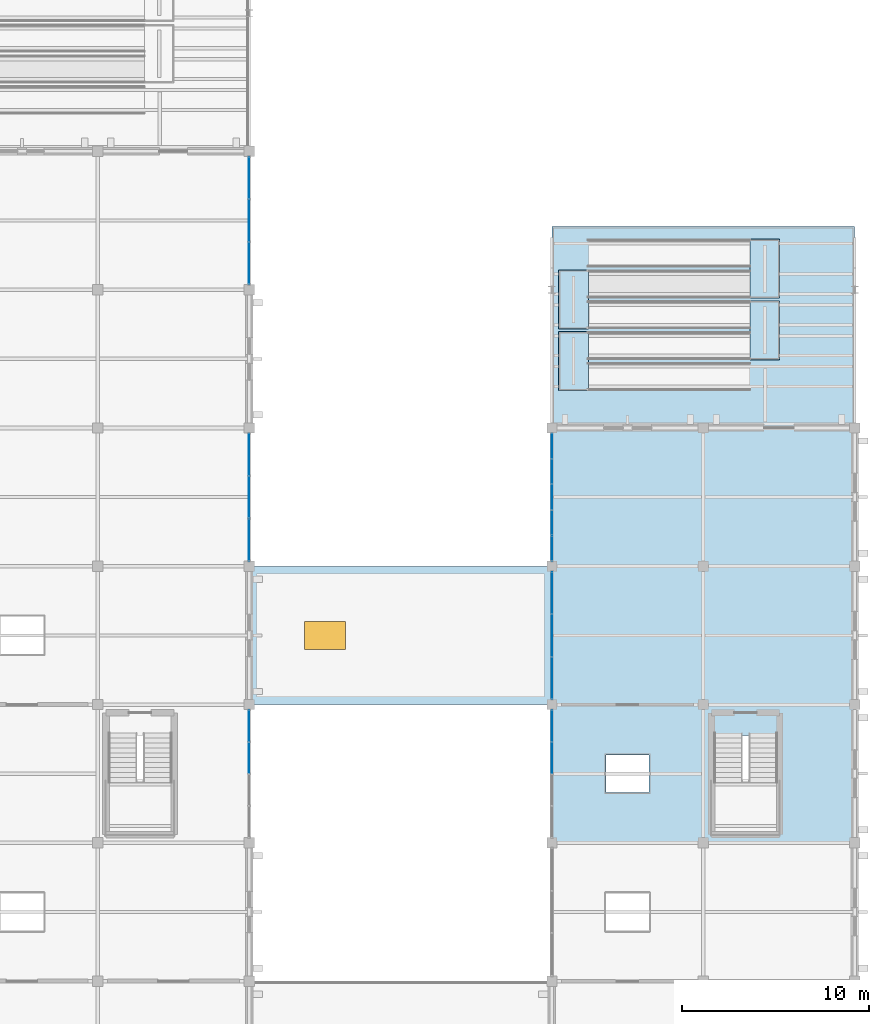
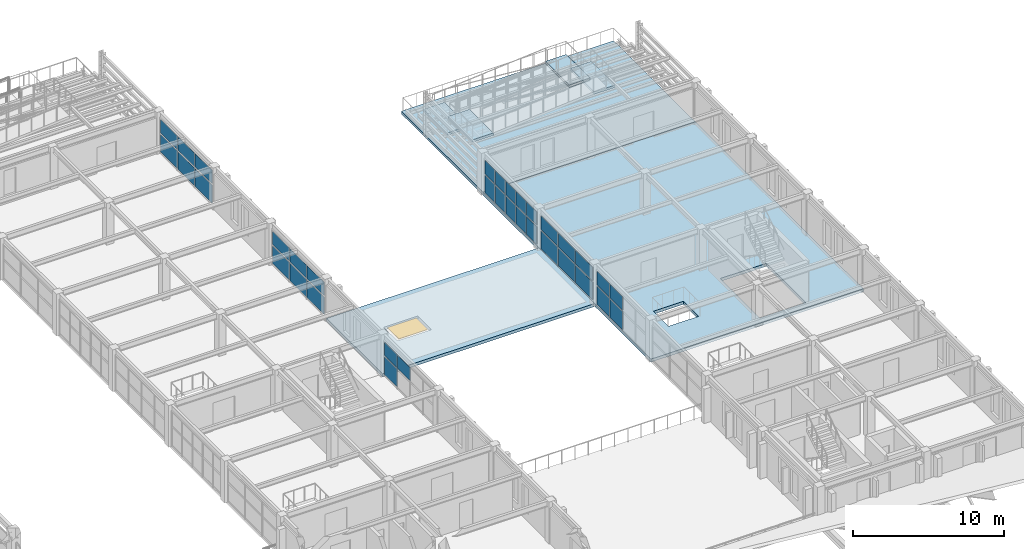
# One storey, part 99 of 121: 35 plates, 7 slabs, 1 window, 1 opening, 6 elements without a shape of their own.
"""IFC4 building model written with IfcOpenShell, lengths in metres."""

from ifc_helpers import new_model, si_unit, direction, frame, origin, origin_2d, place, context, subcontext, project, spatial, polyline, rectangle, outline, extrude, material, layer, layer_set, type_object, element, fill, aggregate, save


model = new_model("IFC4")

# Units and contexts
model_context = context("Model", 3, precision=1e-05, world=origin(), true_north=direction((0.0, 1.0)))
body_context = subcontext(model_context, "Body", "Model", "MODEL_VIEW")
ifc_project = project(units=[si_unit("LENGTHUNIT", "METRE"), si_unit("AREAUNIT", "SQUARE_METRE"), si_unit("VOLUMEUNIT", "CUBIC_METRE"), si_unit("PLANEANGLEUNIT", "RADIAN"), si_unit("MASSUNIT", "GRAM", prefix="KILO")], contexts=[model_context])

# Site, building, storey
site_placement = place(None, origin())
site = spatial("IfcSite", under=ifc_project, at=site_placement, CompositionType="ELEMENT")
building_placement = place(site_placement, origin())
building = spatial("IfcBuilding", under=site, at=building_placement, Name="Cimatlan Art Gallery", CompositionType="ELEMENT")
storey_placement = place(building_placement, frame((0.0, 0.0, 10.199951171875)))
storey = spatial("IfcBuildingStorey", under=building, at=storey_placement, Name="L02", CompositionType="ELEMENT", Elevation=10.199951171875)

# Curtain wall, plates
ifc_material_1 = material(Name="Anodised bronze unitised curtain wall")
curtain_wall_type_1 = type_object("IfcCurtainWallType", Name="CW-V-06842X02868-B5", PredefinedType="NOTDEFINED", material=ifc_material_1)
curtain_wall_1_placement = place(storey_placement, origin())
curtain_wall_1 = element("IfcCurtainWall", 1, at=curtain_wall_1_placement, inside=storey, type_object=curtain_wall_type_1, Name="CW-L02-18-08-W", PredefinedType="NOTDEFINED")
ifc_material_2 = material(Name="Low-E insulated double glazing", Category="glass")
ifc_layer_1 = layer(ifc_material_2, 0.028076171875)
ifc_layer_set_1 = layer_set([ifc_layer_1], Name="Low-E insulated double glazing")
plate_type_1 = type_object("IfcPlateType", Name="PNL-1310X1078", PredefinedType="CURTAIN_PANEL", material=ifc_layer_set_1)
plate_1_placement = place(storey_placement, frame((147.800048828125, 61.86328125, 1.66796875), z_axis=(0.0, 0.0, 1.0), x_axis=(0.0, 1.0, 0.0)))
plate_1 = element("IfcPlate", 2, at=plate_1_placement, type_object=plate_type_1, Name="CW-L02-18-08-W-P12", PredefinedType="CURTAIN_PANEL", context=body_context, shape_type="SweptSolid", body=[
    extrude(rectangle(XDim=1.31005859375, YDim=0.028076171875, at=origin_2d()), origin(), (0.0, 0.0, 1.0), 1.077880859375),
])
plate_2_placement = place(storey_placement, frame((147.800048828125, 63.231689453125, 1.66796875), z_axis=(0.0, 0.0, 1.0), x_axis=(0.0, 1.0, 0.0)))
plate_2 = element("IfcPlate", 3, at=plate_2_placement, type_object=plate_type_1, Name="CW-L02-18-08-W-P22", PredefinedType="CURTAIN_PANEL", context=body_context, shape_type="SweptSolid", body=[
    extrude(rectangle(XDim=1.31005859375, YDim=0.028076171875, at=origin_2d()), origin(), (0.0, 0.0, 1.0), 1.077880859375),
])
plate_3_placement = place(storey_placement, frame((147.800048828125, 64.60009765625, 1.66796875), z_axis=(0.0, 0.0, 1.0), x_axis=(0.0, 1.0, 0.0)))
plate_3 = element("IfcPlate", 4, at=plate_3_placement, type_object=plate_type_1, Name="CW-L02-18-08-W-P32", PredefinedType="CURTAIN_PANEL", context=body_context, shape_type="SweptSolid", body=[
    extrude(rectangle(XDim=1.31005859375, YDim=0.028076171875, at=origin_2d()), origin(), (0.0, 0.0, 1.0), 1.077880859375),
])
plate_4_placement = place(storey_placement, frame((147.800048828125, 65.968505859375, 1.66796875), z_axis=(0.0, 0.0, 1.0), x_axis=(0.0, 1.0, 0.0)))
plate_4 = element("IfcPlate", 5, at=plate_4_placement, type_object=plate_type_1, Name="CW-L02-18-08-W-P42", PredefinedType="CURTAIN_PANEL", context=body_context, shape_type="SweptSolid", body=[
    extrude(rectangle(XDim=1.31005859375, YDim=0.028076171875, at=origin_2d()), origin(), (0.0, 0.0, 1.0), 1.077880859375),
])
plate_5_placement = place(storey_placement, frame((147.800048828125, 67.3369140625, 1.66796875), z_axis=(0.0, 0.0, 1.0), x_axis=(0.0, 1.0, 0.0)))
plate_5 = element("IfcPlate", 6, at=plate_5_placement, type_object=plate_type_1, Name="CW-L02-18-08-W-P52", PredefinedType="CURTAIN_PANEL", context=body_context, shape_type="SweptSolid", body=[
    extrude(rectangle(XDim=1.31005859375, YDim=0.028076171875, at=origin_2d()), origin(), (0.0, 0.0, 1.0), 1.077880859375),
])
ifc_layer_2 = layer(ifc_material_2, 0.028076171875)
ifc_layer_set_2 = layer_set([ifc_layer_2], Name="Low-E insulated double glazing")
plate_type_2 = type_object("IfcPlateType", Name="PNL-1310X1422", PredefinedType="CURTAIN_PANEL", material=ifc_layer_set_2)
plate_6_placement = place(storey_placement, frame((147.800048828125, 61.86328125, 0.1220703125), z_axis=(0.0, 0.0, 1.0), x_axis=(0.0, 1.0, 0.0)))
plate_6 = element("IfcPlate", 7, at=plate_6_placement, type_object=plate_type_2, Name="CW-L02-18-08-W-P11", PredefinedType="CURTAIN_PANEL", context=body_context, shape_type="SweptSolid", body=[
    extrude(rectangle(XDim=1.31005859375, YDim=0.028076171875, at=origin_2d()), origin(), (0.0, 0.0, 1.0), 1.422119140625),
])
plate_7_placement = place(storey_placement, frame((147.800048828125, 63.231689453125, 0.1220703125), z_axis=(0.0, 0.0, 1.0), x_axis=(0.0, 1.0, 0.0)))
plate_7 = element("IfcPlate", 8, at=plate_7_placement, type_object=plate_type_2, Name="CW-L02-18-08-W-P21", PredefinedType="CURTAIN_PANEL", context=body_context, shape_type="SweptSolid", body=[
    extrude(rectangle(XDim=1.31005859375, YDim=0.028076171875, at=origin_2d()), origin(), (0.0, 0.0, 1.0), 1.422119140625),
])
plate_8_placement = place(storey_placement, frame((147.800048828125, 64.60009765625, 0.1220703125), z_axis=(0.0, 0.0, 1.0), x_axis=(0.0, 1.0, 0.0)))
plate_8 = element("IfcPlate", 9, at=plate_8_placement, type_object=plate_type_2, Name="CW-L02-18-08-W-P31", PredefinedType="CURTAIN_PANEL", context=body_context, shape_type="SweptSolid", body=[
    extrude(rectangle(XDim=1.31005859375, YDim=0.028076171875, at=origin_2d()), origin(), (0.0, 0.0, 1.0), 1.422119140625),
])
plate_9_placement = place(storey_placement, frame((147.800048828125, 65.968505859375, 0.1220703125), z_axis=(0.0, 0.0, 1.0), x_axis=(0.0, 1.0, 0.0)))
plate_9 = element("IfcPlate", 10, at=plate_9_placement, type_object=plate_type_2, Name="CW-L02-18-08-W-P41", PredefinedType="CURTAIN_PANEL", context=body_context, shape_type="SweptSolid", body=[
    extrude(rectangle(XDim=1.31005859375, YDim=0.028076171875, at=origin_2d()), origin(), (0.0, 0.0, 1.0), 1.422119140625),
])
plate_10_placement = place(storey_placement, frame((147.800048828125, 67.3369140625, 0.1220703125), z_axis=(0.0, 0.0, 1.0), x_axis=(0.0, 1.0, 0.0)))
plate_10 = element("IfcPlate", 11, at=plate_10_placement, type_object=plate_type_2, Name="CW-L02-18-08-W-P51", PredefinedType="CURTAIN_PANEL", context=body_context, shape_type="SweptSolid", body=[
    extrude(rectangle(XDim=1.31005859375, YDim=0.028076171875, at=origin_2d()), origin(), (0.0, 0.0, 1.0), 1.422119140625),
])
aggregate(curtain_wall_1, [plate_6, plate_1, plate_7, plate_2, plate_8, plate_3, plate_9, plate_4, plate_10, plate_5])

curtain_wall_type_2 = type_object("IfcCurtainWallType", Name="CW-V-06842X02853-B4", PredefinedType="NOTDEFINED", material=ifc_material_1)
curtain_wall_2_placement = place(storey_placement, origin())
curtain_wall_2 = element("IfcCurtainWall", 12, at=curtain_wall_2_placement, inside=storey, type_object=curtain_wall_type_2, Name="CW-L02-15-06-E", PredefinedType="NOTDEFINED")
ifc_layer_3 = layer(ifc_material_2, 0.028076171875)
ifc_layer_set_3 = layer_set([ifc_layer_3], Name="Low-E insulated double glazing")
plate_type_3 = type_object("IfcPlateType", Name="PNL-1652X1071", PredefinedType="CURTAIN_PANEL", material=ifc_layer_set_3)
plate_11_placement = place(storey_placement, frame((131.60009765625, 52.36572265625, 1.65966796875), z_axis=(0.0, 0.0, 1.0), x_axis=(0.0, -1.0, 0.0)))
plate_11 = element("IfcPlate", 13, at=plate_11_placement, type_object=plate_type_3, Name="CW-L02-15-06-E-P12", PredefinedType="CURTAIN_PANEL", context=body_context, shape_type="SweptSolid", body=[
    extrude(rectangle(XDim=1.652099609375, YDim=0.028076171875, at=origin_2d()), origin(), (0.0, 0.0, 1.0), 1.071044921875),
])
plate_12_placement = place(storey_placement, frame((131.60009765625, 50.6552734375, 1.65966796875), z_axis=(0.0, 0.0, 1.0), x_axis=(0.0, -1.0, 0.0)))
plate_12 = element("IfcPlate", 14, at=plate_12_placement, type_object=plate_type_3, Name="CW-L02-15-06-E-P22", PredefinedType="CURTAIN_PANEL", context=body_context, shape_type="SweptSolid", body=[
    extrude(rectangle(XDim=1.652099609375, YDim=0.028076171875, at=origin_2d()), origin(), (0.0, 0.0, 1.0), 1.071044921875),
])

curtain_wall_type_3 = type_object("IfcCurtainWallType", Name="CW-V-06842X02898-B4", PredefinedType="NOTDEFINED", material=ifc_material_1)
curtain_wall_3_placement = place(storey_placement, origin())
curtain_wall_3 = element("IfcCurtainWall", 15, at=curtain_wall_3_placement, inside=storey, type_object=curtain_wall_type_3, Name="CW-L02-18-06-W", PredefinedType="NOTDEFINED")
ifc_layer_4 = layer(ifc_material_2, 0.028076171875)
ifc_layer_set_4 = layer_set([ifc_layer_4], Name="Low-E insulated double glazing")
plate_type_4 = type_object("IfcPlateType", Name="PNL-1652X1091", PredefinedType="CURTAIN_PANEL", material=ifc_layer_set_4)
plate_13_placement = place(storey_placement, frame((147.800048828125, 50.6552734375, 1.68505859375), z_axis=(0.0, 0.0, 1.0), x_axis=(0.0, 1.0, 0.0)))
plate_13 = element("IfcPlate", 16, at=plate_13_placement, type_object=plate_type_4, Name="CW-L02-18-06-W-P32", PredefinedType="CURTAIN_PANEL", context=body_context, shape_type="SweptSolid", body=[
    extrude(rectangle(XDim=1.652099609375, YDim=0.028076171875, at=origin_2d()), origin(), (0.0, 0.0, 1.0), 1.091064453125),
])
plate_14_placement = place(storey_placement, frame((147.800048828125, 52.36572265625, 1.68505859375), z_axis=(0.0, 0.0, 1.0), x_axis=(0.0, 1.0, 0.0)))
plate_14 = element("IfcPlate", 17, at=plate_14_placement, type_object=plate_type_4, Name="CW-L02-18-06-W-P42", PredefinedType="CURTAIN_PANEL", context=body_context, shape_type="SweptSolid", body=[
    extrude(rectangle(XDim=1.652099609375, YDim=0.028076171875, at=origin_2d()), origin(), (0.0, 0.0, 1.0), 1.091064453125),
])

# Plate
ifc_layer_5 = layer(ifc_material_2, 0.028076171875)
ifc_layer_set_5 = layer_set([ifc_layer_5], Name="Low-E insulated double glazing")
plate_type_5 = type_object("IfcPlateType", Name="PNL-1652X1414", PredefinedType="CURTAIN_PANEL", material=ifc_layer_set_5)
plate_15_placement = place(storey_placement, frame((131.60009765625, 52.36572265625, 0.121826171875), z_axis=(0.0, 0.0, 1.0), x_axis=(0.0, -1.0, 0.0)))
plate_15 = element("IfcPlate", 18, at=plate_15_placement, type_object=plate_type_5, Name="CW-L02-15-06-E-P11", PredefinedType="CURTAIN_PANEL", context=body_context, shape_type="SweptSolid", body=[
    extrude(rectangle(XDim=1.652099609375, YDim=0.028076171875, at=origin_2d()), origin(), (0.0, 0.0, 1.0), 1.4140625),
])

aggregate(curtain_wall_2, [plate_15, plate_11, plate_12])

ifc_layer_6 = layer(ifc_material_2, 0.028076171875)
ifc_layer_set_6 = layer_set([ifc_layer_6], Name="Low-E insulated double glazing")
plate_type_6 = type_object("IfcPlateType", Name="PNL-1652X1439", PredefinedType="CURTAIN_PANEL", material=ifc_layer_set_6)
plate_16_placement = place(storey_placement, frame((147.800048828125, 50.6552734375, 0.1220703125), z_axis=(0.0, 0.0, 1.0), x_axis=(0.0, 1.0, 0.0)))
plate_16 = element("IfcPlate", 19, at=plate_16_placement, type_object=plate_type_6, Name="CW-L02-18-06-W-P31", PredefinedType="CURTAIN_PANEL", context=body_context, shape_type="SweptSolid", body=[
    extrude(rectangle(XDim=1.652099609375, YDim=0.028076171875, at=origin_2d()), origin(), (0.0, 0.0, 1.0), 1.43896484375),
])

plate_17_placement = place(storey_placement, frame((147.800048828125, 52.36572265625, 0.1220703125), z_axis=(0.0, 0.0, 1.0), x_axis=(0.0, 1.0, 0.0)))
plate_17 = element("IfcPlate", 20, at=plate_17_placement, type_object=plate_type_6, Name="CW-L02-18-06-W-P41", PredefinedType="CURTAIN_PANEL", context=body_context, shape_type="SweptSolid", body=[
    extrude(rectangle(XDim=1.652099609375, YDim=0.028076171875, at=origin_2d()), origin(), (0.0, 0.0, 1.0), 1.43896484375),
])

aggregate(curtain_wall_3, [plate_16, plate_13, plate_17, plate_14])

# Curtain wall, plates
curtain_wall_type_4 = type_object("IfcCurtainWallType", Name="CW-V-06842X02823-B3", PredefinedType="NOTDEFINED", material=ifc_material_1)
curtain_wall_4_placement = place(storey_placement, origin())
curtain_wall_4 = element("IfcCurtainWall", 21, at=curtain_wall_4_placement, inside=storey, type_object=curtain_wall_type_4, Name="CW-L02-15-08-E", PredefinedType="NOTDEFINED")
ifc_layer_7 = layer(ifc_material_2, 0.028076171875)
ifc_layer_set_7 = layer_set([ifc_layer_7], Name="Low-E insulated double glazing")
plate_type_7 = type_object("IfcPlateType", Name="PNL-2223X1058", PredefinedType="CURTAIN_PANEL", material=ifc_layer_set_7)
plate_18_placement = place(storey_placement, frame((131.60009765625, 66.880615234375, 1.64306640625), z_axis=(0.0, 0.0, 1.0), x_axis=(0.0, -1.0, 0.0)))
plate_18 = element("IfcPlate", 22, at=plate_18_placement, type_object=plate_type_7, Name="CW-L02-15-08-E-P12", PredefinedType="CURTAIN_PANEL", context=body_context, shape_type="SweptSolid", body=[
    extrude(rectangle(XDim=2.222900390625, YDim=0.028076171875, at=origin_2d()), origin(), (0.0, 0.0, 1.0), 1.05810546875),
])
plate_19_placement = place(storey_placement, frame((131.60009765625, 64.60009765625, 1.64306640625), z_axis=(0.0, 0.0, 1.0), x_axis=(0.0, -1.0, 0.0)))
plate_19 = element("IfcPlate", 23, at=plate_19_placement, type_object=plate_type_7, Name="CW-L02-15-08-E-P22", PredefinedType="CURTAIN_PANEL", context=body_context, shape_type="SweptSolid", body=[
    extrude(rectangle(XDim=2.222900390625, YDim=0.028076171875, at=origin_2d()), origin(), (0.0, 0.0, 1.0), 1.05810546875),
])
plate_20_placement = place(storey_placement, frame((131.60009765625, 62.3193359375, 1.64306640625), z_axis=(0.0, 0.0, 1.0), x_axis=(0.0, -1.0, 0.0)))
plate_20 = element("IfcPlate", 24, at=plate_20_placement, type_object=plate_type_7, Name="CW-L02-15-08-E-P32", PredefinedType="CURTAIN_PANEL", context=body_context, shape_type="SweptSolid", body=[
    extrude(rectangle(XDim=2.222900390625, YDim=0.028076171875, at=origin_2d()), origin(), (0.0, 0.0, 1.0), 1.05810546875),
])

curtain_wall_type_5 = type_object("IfcCurtainWallType", Name="CW-V-06842X02883-B3", PredefinedType="NOTDEFINED", material=ifc_material_1)
curtain_wall_5_placement = place(storey_placement, origin())
curtain_wall_5 = element("IfcCurtainWall", 25, at=curtain_wall_5_placement, inside=storey, type_object=curtain_wall_type_5, Name="CW-L02-15-10-E", PredefinedType="NOTDEFINED")
ifc_layer_8 = layer(ifc_material_2, 0.028076171875)
ifc_layer_set_8 = layer_set([ifc_layer_8], Name="Low-E insulated double glazing")
plate_type_8 = type_object("IfcPlateType", Name="PNL-2223X1085", PredefinedType="CURTAIN_PANEL", material=ifc_layer_set_8)
plate_21_placement = place(storey_placement, frame((131.60009765625, 81.6806640625, 1.67626953125), z_axis=(0.0, 0.0, 1.0), x_axis=(0.0, -1.0, 0.0)))
plate_21 = element("IfcPlate", 26, at=plate_21_placement, type_object=plate_type_8, Name="CW-L02-15-10-E-P12", PredefinedType="CURTAIN_PANEL", context=body_context, shape_type="SweptSolid", body=[
    extrude(rectangle(XDim=2.222900390625, YDim=0.028076171875, at=origin_2d()), origin(), (0.0, 0.0, 1.0), 1.0849609375),
])
plate_22_placement = place(storey_placement, frame((131.60009765625, 79.39990234375, 1.67626953125), z_axis=(0.0, 0.0, 1.0), x_axis=(0.0, -1.0, 0.0)))
plate_22 = element("IfcPlate", 27, at=plate_22_placement, type_object=plate_type_8, Name="CW-L02-15-10-E-P22", PredefinedType="CURTAIN_PANEL", context=body_context, shape_type="SweptSolid", body=[
    extrude(rectangle(XDim=2.222900390625, YDim=0.028076171875, at=origin_2d()), origin(), (0.0, 0.0, 1.0), 1.0849609375),
])
plate_23_placement = place(storey_placement, frame((131.60009765625, 77.119384765625, 1.67626953125), z_axis=(0.0, 0.0, 1.0), x_axis=(0.0, -1.0, 0.0)))
plate_23 = element("IfcPlate", 28, at=plate_23_placement, type_object=plate_type_8, Name="CW-L02-15-10-E-P32", PredefinedType="CURTAIN_PANEL", context=body_context, shape_type="SweptSolid", body=[
    extrude(rectangle(XDim=2.222900390625, YDim=0.028076171875, at=origin_2d()), origin(), (0.0, 0.0, 1.0), 1.0849609375),
])

curtain_wall_6_placement = place(storey_placement, origin())
curtain_wall_6 = element("IfcCurtainWall", 29, at=curtain_wall_6_placement, inside=storey, type_object=curtain_wall_type_5, Name="CW-L02-18-07-W", PredefinedType="NOTDEFINED")
plate_24_placement = place(storey_placement, frame((147.800048828125, 54.91943359375, 1.67626953125), z_axis=(0.0, 0.0, 1.0), x_axis=(0.0, 1.0, 0.0)))
plate_24 = element("IfcPlate", 30, at=plate_24_placement, type_object=plate_type_8, Name="CW-L02-18-07-W-P12", PredefinedType="CURTAIN_PANEL", context=body_context, shape_type="SweptSolid", body=[
    extrude(rectangle(XDim=2.222900390625, YDim=0.028076171875, at=origin_2d()), origin(), (0.0, 0.0, 1.0), 1.0849609375),
])
plate_25_placement = place(storey_placement, frame((147.800048828125, 57.199951171875, 1.67626953125), z_axis=(0.0, 0.0, 1.0), x_axis=(0.0, 1.0, 0.0)))
plate_25 = element("IfcPlate", 31, at=plate_25_placement, type_object=plate_type_8, Name="CW-L02-18-07-W-P22", PredefinedType="CURTAIN_PANEL", context=body_context, shape_type="SweptSolid", body=[
    extrude(rectangle(XDim=2.222900390625, YDim=0.028076171875, at=origin_2d()), origin(), (0.0, 0.0, 1.0), 1.0849609375),
])
plate_26_placement = place(storey_placement, frame((147.800048828125, 59.480712890625, 1.67626953125), z_axis=(0.0, 0.0, 1.0), x_axis=(0.0, 1.0, 0.0)))
plate_26 = element("IfcPlate", 32, at=plate_26_placement, type_object=plate_type_8, Name="CW-L02-18-07-W-P32", PredefinedType="CURTAIN_PANEL", context=body_context, shape_type="SweptSolid", body=[
    extrude(rectangle(XDim=2.222900390625, YDim=0.028076171875, at=origin_2d()), origin(), (0.0, 0.0, 1.0), 1.0849609375),
])

# Plate
ifc_layer_9 = layer(ifc_material_2, 0.028076171875)
ifc_layer_set_9 = layer_set([ifc_layer_9], Name="Low-E insulated double glazing")
plate_type_9 = type_object("IfcPlateType", Name="PNL-2223X1397", PredefinedType="CURTAIN_PANEL", material=ifc_layer_set_9)
plate_27_placement = place(storey_placement, frame((131.60009765625, 66.880615234375, 0.1220703125), z_axis=(0.0, 0.0, 1.0), x_axis=(0.0, -1.0, 0.0)))
plate_27 = element("IfcPlate", 33, at=plate_27_placement, type_object=plate_type_9, Name="CW-L02-15-08-E-P11", PredefinedType="CURTAIN_PANEL", context=body_context, shape_type="SweptSolid", body=[
    extrude(rectangle(XDim=2.222900390625, YDim=0.028076171875, at=origin_2d()), origin(), (0.0, 0.0, 1.0), 1.39697265625),
])

plate_28_placement = place(storey_placement, frame((131.60009765625, 64.60009765625, 0.1220703125), z_axis=(0.0, 0.0, 1.0), x_axis=(0.0, -1.0, 0.0)))
plate_28 = element("IfcPlate", 34, at=plate_28_placement, type_object=plate_type_9, Name="CW-L02-15-08-E-P21", PredefinedType="CURTAIN_PANEL", context=body_context, shape_type="SweptSolid", body=[
    extrude(rectangle(XDim=2.222900390625, YDim=0.028076171875, at=origin_2d()), origin(), (0.0, 0.0, 1.0), 1.39697265625),
])

plate_29_placement = place(storey_placement, frame((131.60009765625, 62.3193359375, 0.1220703125), z_axis=(0.0, 0.0, 1.0), x_axis=(0.0, -1.0, 0.0)))
plate_29 = element("IfcPlate", 35, at=plate_29_placement, type_object=plate_type_9, Name="CW-L02-15-08-E-P31", PredefinedType="CURTAIN_PANEL", context=body_context, shape_type="SweptSolid", body=[
    extrude(rectangle(XDim=2.222900390625, YDim=0.028076171875, at=origin_2d()), origin(), (0.0, 0.0, 1.0), 1.39697265625),
])

aggregate(curtain_wall_4, [plate_27, plate_18, plate_28, plate_19, plate_29, plate_20])

ifc_layer_10 = layer(ifc_material_2, 0.028076171875)
ifc_layer_set_10 = layer_set([ifc_layer_10], Name="Low-E insulated double glazing")
plate_type_10 = type_object("IfcPlateType", Name="PNL-2223X1431", PredefinedType="CURTAIN_PANEL", material=ifc_layer_set_10)
plate_30_placement = place(storey_placement, frame((131.60009765625, 81.6806640625, 0.1220703125), z_axis=(0.0, 0.0, 1.0), x_axis=(0.0, -1.0, 0.0)))
plate_30 = element("IfcPlate", 36, at=plate_30_placement, type_object=plate_type_10, Name="CW-L02-15-10-E-P11", PredefinedType="CURTAIN_PANEL", context=body_context, shape_type="SweptSolid", body=[
    extrude(rectangle(XDim=2.222900390625, YDim=0.028076171875, at=origin_2d()), origin(), (0.0, 0.0, 1.0), 1.430908203125),
])

plate_31_placement = place(storey_placement, frame((131.60009765625, 79.39990234375, 0.1220703125), z_axis=(0.0, 0.0, 1.0), x_axis=(0.0, -1.0, 0.0)))
plate_31 = element("IfcPlate", 37, at=plate_31_placement, type_object=plate_type_10, Name="CW-L02-15-10-E-P21", PredefinedType="CURTAIN_PANEL", context=body_context, shape_type="SweptSolid", body=[
    extrude(rectangle(XDim=2.222900390625, YDim=0.028076171875, at=origin_2d()), origin(), (0.0, 0.0, 1.0), 1.430908203125),
])

plate_32_placement = place(storey_placement, frame((131.60009765625, 77.119384765625, 0.1220703125), z_axis=(0.0, 0.0, 1.0), x_axis=(0.0, -1.0, 0.0)))
plate_32 = element("IfcPlate", 38, at=plate_32_placement, type_object=plate_type_10, Name="CW-L02-15-10-E-P31", PredefinedType="CURTAIN_PANEL", context=body_context, shape_type="SweptSolid", body=[
    extrude(rectangle(XDim=2.222900390625, YDim=0.028076171875, at=origin_2d()), origin(), (0.0, 0.0, 1.0), 1.430908203125),
])

aggregate(curtain_wall_5, [plate_30, plate_21, plate_31, plate_22, plate_32, plate_23])

plate_33_placement = place(storey_placement, frame((147.800048828125, 54.91943359375, 0.1220703125), z_axis=(0.0, 0.0, 1.0), x_axis=(0.0, 1.0, 0.0)))
plate_33 = element("IfcPlate", 39, at=plate_33_placement, type_object=plate_type_10, Name="CW-L02-18-07-W-P11", PredefinedType="CURTAIN_PANEL", context=body_context, shape_type="SweptSolid", body=[
    extrude(rectangle(XDim=2.222900390625, YDim=0.028076171875, at=origin_2d()), origin(), (0.0, 0.0, 1.0), 1.430908203125),
])

plate_34_placement = place(storey_placement, frame((147.800048828125, 57.199951171875, 0.1220703125), z_axis=(0.0, 0.0, 1.0), x_axis=(0.0, 1.0, 0.0)))
plate_34 = element("IfcPlate", 40, at=plate_34_placement, type_object=plate_type_10, Name="CW-L02-18-07-W-P21", PredefinedType="CURTAIN_PANEL", context=body_context, shape_type="SweptSolid", body=[
    extrude(rectangle(XDim=2.222900390625, YDim=0.028076171875, at=origin_2d()), origin(), (0.0, 0.0, 1.0), 1.430908203125),
])

plate_35_placement = place(storey_placement, frame((147.800048828125, 59.480712890625, 0.1220703125), z_axis=(0.0, 0.0, 1.0), x_axis=(0.0, 1.0, 0.0)))
plate_35 = element("IfcPlate", 41, at=plate_35_placement, type_object=plate_type_10, Name="CW-L02-18-07-W-P31", PredefinedType="CURTAIN_PANEL", context=body_context, shape_type="SweptSolid", body=[
    extrude(rectangle(XDim=2.222900390625, YDim=0.028076171875, at=origin_2d()), origin(), (0.0, 0.0, 1.0), 1.430908203125),
])

aggregate(curtain_wall_6, [plate_33, plate_24, plate_34, plate_25, plate_35, plate_26])

# Slabs
ifc_material_3 = material(Name="Concrete C35/45", Category="concrete")
ifc_layer_11 = layer(ifc_material_3, 0.239990234375)
ifc_layer_set_11 = layer_set([ifc_layer_11], Name="Concrete C35/45")
slab_type_1 = type_object("IfcSlabType", Name="SLB-FLR-L02", PredefinedType="FLOOR", material=ifc_layer_set_11)
slab_1_placement = place(storey_placement, frame((0.0, 0.0, -0.239990234375)))
element("IfcSlab", 42, at=slab_1_placement, inside=storey, type_object=slab_type_1, Name="SLB-L02-B5N", PredefinedType="FLOOR", context=body_context, shape_type="SweptSolid", body=[
    extrude(outline(polyline([(147.800048828125, 46.10009765625), (164.0, 46.10009765625), (164.0, 68.300048828125), (147.800048828125, 68.300048828125), (147.800048828125, 46.10009765625)]), holes=[polyline([(156.39990234375, 46.6201171875), (159.919921875, 46.6201171875), (159.919921875, 51.85009765625), (156.39990234375, 51.85009765625), (156.39990234375, 46.6201171875)]), polyline([(150.699951171875, 48.800048828125), (153.0, 48.800048828125), (153.0, 50.800048828125), (150.699951171875, 50.800048828125), (150.699951171875, 48.800048828125)])]), origin(), (0.0, 0.0, 1.0), 0.239990234375),
])
ifc_layer_12 = layer(ifc_material_3, 0.199951171875)
ifc_layer_set_12 = layer_set([ifc_layer_12], Name="Concrete C35/45")
slab_type_2 = type_object("IfcSlabType", Name="SLB-RMP-LAND-200", PredefinedType="LANDING", material=ifc_layer_set_12)
slab_2_placement = place(storey_placement, frame((0.0, 0.0, 0.52001953125)))
element("IfcSlab", 43, at=slab_2_placement, inside=storey, type_object=slab_type_2, Name="RMP-TER-B5-LND1", PredefinedType="LANDING", context=body_context, shape_type="SweptSolid", body=[
    extrude(outline(polyline([(158.389892578125, 75.25), (159.989990234375, 75.25), (159.989990234375, 78.39990234375), (158.389892578125, 78.39990234375), (158.389892578125, 75.25)])), origin(), (0.0, 0.0, 1.0), 0.199951171875),
])
slab_3_placement = place(storey_placement, frame((0.0, 0.0, 1.239990234375)))
element("IfcSlab", 44, at=slab_3_placement, inside=storey, type_object=slab_type_2, Name="RMP-TER-B5-LND2", PredefinedType="LANDING", context=body_context, shape_type="SweptSolid", body=[
    extrude(outline(polyline([(148.14990234375, 73.60009765625), (149.75, 73.60009765625), (149.75, 76.75), (148.14990234375, 76.75), (148.14990234375, 73.60009765625)])), origin(), (0.0, 0.0, 1.0), 0.199951171875),
])
slab_4_placement = place(storey_placement, frame((0.0, 0.0, 1.9599609375)))
element("IfcSlab", 45, at=slab_4_placement, inside=storey, type_object=slab_type_2, Name="RMP-TER-B5-LND3", PredefinedType="LANDING", context=body_context, shape_type="SweptSolid", body=[
    extrude(outline(polyline([(158.389892578125, 71.949951171875), (159.989990234375, 71.949951171875), (159.989990234375, 75.10009765625), (158.389892578125, 75.10009765625), (158.389892578125, 71.949951171875)])), origin(), (0.0, 0.0, 1.0), 0.2001953125),
])
slab_5_placement = place(storey_placement, frame((0.0, 0.0, 2.679931640625)))
element("IfcSlab", 46, at=slab_5_placement, inside=storey, type_object=slab_type_2, Name="RMP-TER-B5-LND4", PredefinedType="LANDING", context=body_context, shape_type="SweptSolid", body=[
    extrude(outline(polyline([(148.14990234375, 70.300048828125), (149.75, 70.300048828125), (149.75, 73.449951171875), (148.14990234375, 73.449951171875), (148.14990234375, 70.300048828125)])), origin(), (0.0, 0.0, 1.0), 0.2001953125),
])

# Slab, opening, window
ifc_layer_13 = layer(ifc_material_3, 0.239990234375)
ifc_layer_set_13 = layer_set([ifc_layer_13], Name="Concrete C35/45")
slab_type_3 = type_object("IfcSlabType", Name="SLB-ROOF-240", PredefinedType="ROOF", material=ifc_layer_set_13)
slab_6_placement = place(storey_placement, frame((0.0, 0.0, -0.239990234375)))
slab_6 = element("IfcSlab", 47, at=slab_6_placement, inside=storey, type_object=slab_type_3, Name="RF-BRG-ST", PredefinedType="ROOF", context=body_context, shape_type="SweptSolid", body=[
    extrude(outline(polyline([(131.60009765625, 53.5), (147.800048828125, 53.5), (147.800048828125, 60.89990234375), (131.60009765625, 60.89990234375), (131.60009765625, 53.5)]), holes=[polyline([(134.35009765625, 56.300048828125), (136.949951171875, 56.300048828125), (136.949951171875, 58.10009765625), (134.35009765625, 58.10009765625), (134.35009765625, 56.300048828125)])]), origin(), (0.0, 0.0, 1.0), 0.239990234375),
])
opening_placement = place(slab_6_placement, frame((135.64990234375, 57.199951171875, -0.010009765625)))
opening = element("IfcOpeningElement", 48, at=opening_placement, cuts=slab_6, Name="Opening SK-03", PredefinedType="OPENING", context=body_context, shape_type="SweptSolid", body=[
    extrude(rectangle(XDim=2.199951171875, YDim=1.5, at=origin_2d()), origin(), (0.0, 0.0, 1.0), 0.260009765625),
])
ifc_material_4 = material(Name="Low-E laminated double glazing in bronze lancet frame", Category="glass")
window_type = type_object("IfcWindowType", Name="SKY-RF-2200X1500", PartitioningType="SINGLE_PANEL", PredefinedType="SKYLIGHT", material=ifc_material_4)
window_placement = place(slab_6_placement, frame((135.64990234375, 57.199951171875, 0.18994140625)))
window = element("IfcWindow", 49, at=window_placement, inside=storey, type_object=window_type, Name="SKY-03", OverallHeight=1.5, OverallWidth=2.199951171875, PartitioningType="SINGLE_PANEL", PredefinedType="SKYLIGHT", context=body_context, shape_type="SweptSolid", body=[
    extrude(rectangle(XDim=2.199951171875, YDim=1.5, at=origin_2d()), origin(), (0.0, 0.0, 1.0), 0.050048828125),
])
fill(opening, window)

# Slab
ifc_layer_14 = layer(ifc_material_3, 0.219970703125)
ifc_layer_set_14 = layer_set([ifc_layer_14], Name="Concrete C35/45")
slab_type_4 = type_object("IfcSlabType", Name="SLB-TER-220", PredefinedType="FLOOR", material=ifc_layer_set_14)
slab_7_placement = place(storey_placement, frame((0.0, 0.0, -0.219970703125)))
element("IfcSlab", 50, at=slab_7_placement, inside=storey, type_object=slab_type_4, Name="TER-L02-B5", PredefinedType="FLOOR", context=body_context, shape_type="SweptSolid", body=[
    extrude(outline(polyline([(147.800048828125, 68.300048828125), (164.0, 68.300048828125), (164.0, 79.08203125), (147.800048828125, 79.08203125), (147.800048828125, 68.300048828125)])), origin(), (0.0, 0.0, 1.0), 0.219970703125),
])

save(model, "model.ifc")
